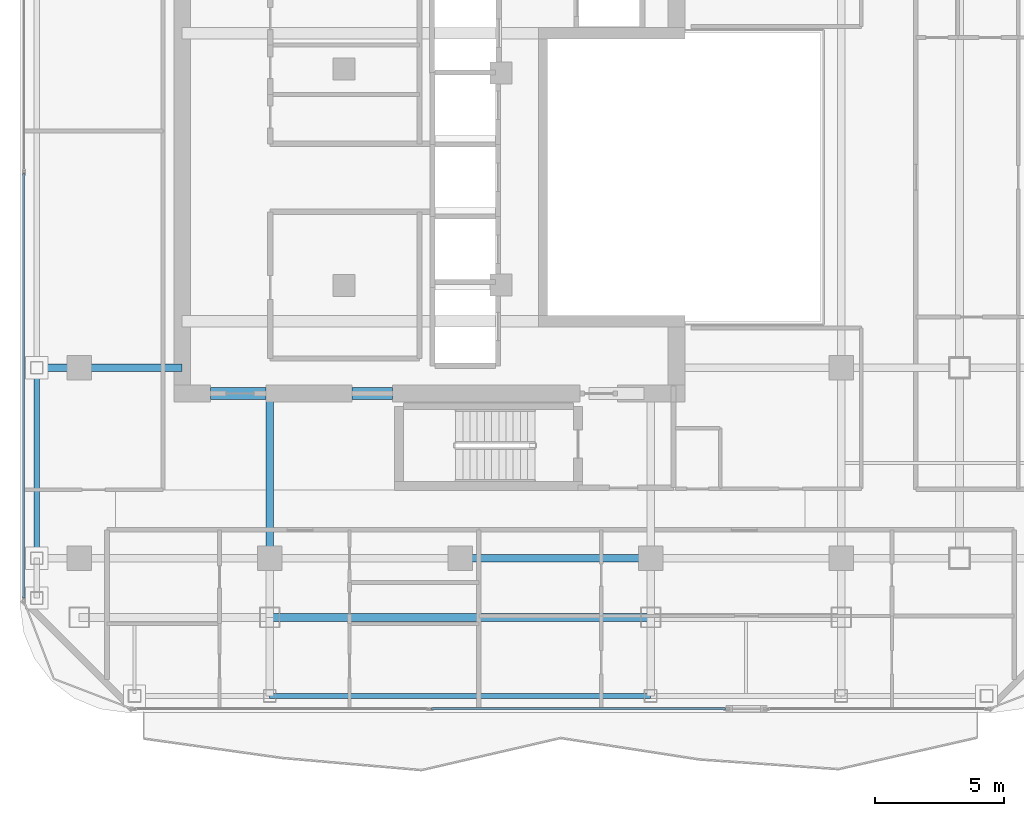
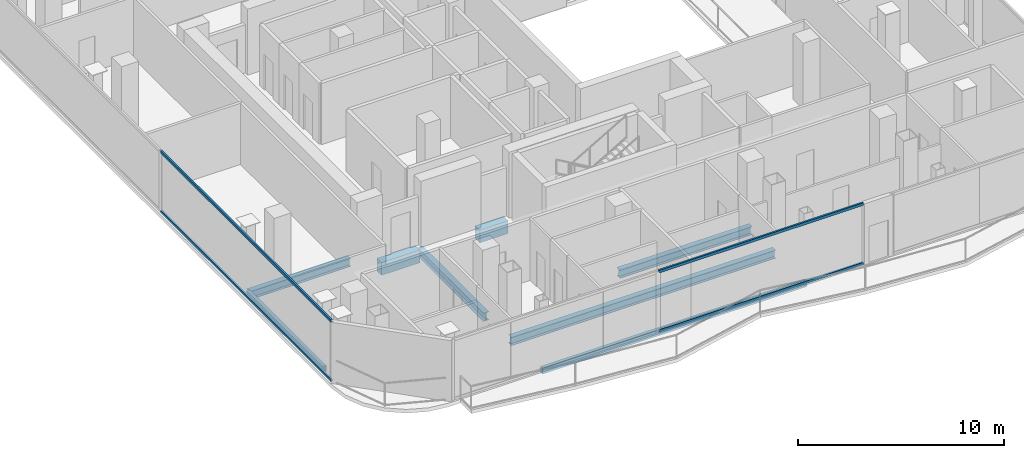
# One storey, part 3 of 22: 8 beams, 4 members, 2 elements without a shape of their own.
"""IFC4 building model written with IfcOpenShell, lengths in metres."""

from ifc_helpers import new_model, si_unit, direction, frame, origin, origin_2d, place, context, subcontext, project, spatial, rectangle, hollow_rectangle, i_section, extrude, material, layer, layer_set, material_profile, profile_set, type_object, element, aggregate, save


model = new_model("IFC4")

# Units and contexts
model_context = context("Model", 3, precision=1e-05, world=origin(), true_north=direction((0.0, 1.0)))
body_context = subcontext(model_context, "Body", "Model", "MODEL_VIEW")
ifc_project = project(units=[si_unit("LENGTHUNIT", "METRE"), si_unit("AREAUNIT", "SQUARE_METRE"), si_unit("VOLUMEUNIT", "CUBIC_METRE"), si_unit("PLANEANGLEUNIT", "RADIAN"), si_unit("MASSUNIT", "GRAM", prefix="KILO")], contexts=[model_context])

# Site, building, storey
site_placement = place(None, origin())
site = spatial("IfcSite", under=ifc_project, at=site_placement, CompositionType="ELEMENT")
building_placement = place(site_placement, origin())
building = spatial("IfcBuilding", under=site, at=building_placement, Name="Khorvyn Point Tower", CompositionType="ELEMENT")
storey_placement = place(building_placement, frame((0.0, 0.0, 282.0)))
storey = spatial("IfcBuildingStorey", under=building, at=storey_placement, Name="L69", CompositionType="ELEMENT", Elevation=282.0)

# Curtain wall, members
ifc_material_1 = material(Name="Anodised aluminium 6063-T6 and laminated Low-E glass", Category="aluminium")
ifc_layer = layer(ifc_material_1, 0.18994140625)
ifc_layer_set = layer_set([ifc_layer], Name="Stick-Built High-Wind Curtain Wall CW-SYS-04")
curtain_wall_type = type_object("IfcCurtainWallType", Name="Stick-Built High-Wind Curtain Wall CW-SYS-04", PredefinedType="NOTDEFINED", material=ifc_layer_set)
curtain_wall_1_placement = place(storey_placement, origin())
curtain_wall_1 = element("IfcCurtainWall", 1, at=curtain_wall_1_placement, inside=storey, type_object=curtain_wall_type, Name="Curtain Wall", PredefinedType="NOTDEFINED")
ifc_material_2 = material(Name="Anodised aluminium 6063-T6", Category="aluminium")
ifc_material_profile_1 = material_profile(ifc_material_2, hollow_rectangle(XDim=0.10009765625, YDim=0.159912109375, WallThickness=0.00439453125, at=origin_2d()))
ifc_profile_set_1 = profile_set([ifc_material_profile_1], Name="Anodised aluminium 6063-T6 ALU-TRN-100x160")
member_type = type_object("IfcMemberType", Name="Anodised Aluminium 6063-T6 Transom ALU-TRN-100x160", PredefinedType="USERDEFINED", material=ifc_profile_set_1)
member_1_placement = place(storey_placement, frame((10.303955078125, -20.64990234375, 0.050048828125), z_axis=(-1.0, 0.0, 0.0), x_axis=(0.0, -1.0, 0.0)))
member_1 = element("IfcMember", 2, at=member_1_placement, type_object=member_type, Name="Transom", ObjectType="TRANSOM", PredefinedType="USERDEFINED", context=body_context, shape_type="SweptSolid", body=[
    extrude(hollow_rectangle(XDim=0.10009765625, YDim=0.159912109375, WallThickness=0.00439453125, at=origin_2d()), origin(), (0.0, 0.0, 1.0), 11.427001953125),
])
member_2_placement = place(storey_placement, frame((10.303955078125, -20.64990234375, 3.570068359375), z_axis=(-1.0, 0.0, 0.0), x_axis=(0.0, -1.0, 0.0)))
member_2 = element("IfcMember", 3, at=member_2_placement, type_object=member_type, Name="Transom", ObjectType="TRANSOM", PredefinedType="USERDEFINED", context=body_context, shape_type="SweptSolid", body=[
    extrude(hollow_rectangle(XDim=0.10009765625, YDim=0.159912109375, WallThickness=0.00439453125, at=origin_2d()), origin(), (0.0, 0.0, 1.0), 11.427001953125),
])
aggregate(curtain_wall_1, [member_1, member_2])

curtain_wall_2_placement = place(storey_placement, origin())
curtain_wall_2 = element("IfcCurtainWall", 4, at=curtain_wall_2_placement, inside=storey, type_object=curtain_wall_type, Name="Curtain Wall", PredefinedType="NOTDEFINED")
member_3_placement = place(storey_placement, frame((-16.949951171875, -16.35009765625, 0.050048828125), z_axis=(0.0, 1.0, 0.0), x_axis=(-1.0, 0.0, 0.0)))
member_3 = element("IfcMember", 5, at=member_3_placement, type_object=member_type, Name="Transom", ObjectType="TRANSOM", PredefinedType="USERDEFINED", context=body_context, shape_type="SweptSolid", body=[
    extrude(hollow_rectangle(XDim=0.10009765625, YDim=0.159912109375, WallThickness=0.00439453125, at=origin_2d()), origin(), (0.0, 0.0, 1.0), 16.5),
])
member_4_placement = place(storey_placement, frame((-16.949951171875, -16.35009765625, 3.570068359375), z_axis=(0.0, 1.0, 0.0), x_axis=(-1.0, 0.0, 0.0)))
member_4 = element("IfcMember", 6, at=member_4_placement, type_object=member_type, Name="Transom", ObjectType="TRANSOM", PredefinedType="USERDEFINED", context=body_context, shape_type="SweptSolid", body=[
    extrude(hollow_rectangle(XDim=0.10009765625, YDim=0.159912109375, WallThickness=0.00439453125, at=origin_2d()), origin(), (0.0, 0.0, 1.0), 16.5),
])
aggregate(curtain_wall_2, [member_3, member_4])

# Beams
ifc_material_3 = material(Name="Concrete C40/50", Category="concrete")
ifc_material_profile_2 = material_profile(ifc_material_3, rectangle(XDim=0.449951171875, YDim=0.75, at=origin_2d()))
ifc_profile_set_2 = profile_set([ifc_material_profile_2], Name="Concrete C40/50 RC450x750")
beam_type_1 = type_object("IfcBeamType", Name="Concrete C40/50 Beam RC450x750", PredefinedType="BEAM", material=ifc_profile_set_2)
beam_1_placement = place(storey_placement, frame((-9.699951171875, -8.39990234375, -0.594970703125), z_axis=(1.0, 0.0, 0.0), x_axis=(0.0, 1.0, 0.0)))
element("IfcBeam", 7, at=beam_1_placement, inside=storey, type_object=beam_type_1, Name="L69 Core Southwest Portal Coupling Beam", PredefinedType="BEAM", context=body_context, shape_type="SweptSolid", body=[
    extrude(rectangle(XDim=0.449951171875, YDim=0.75, at=origin_2d()), origin(), (0.0, 0.0, 1.0), 2.14990234375),
])
beam_2_placement = place(storey_placement, frame((-4.199951171875, -8.39990234375, -0.594970703125), z_axis=(1.0, 0.0, 0.0), x_axis=(0.0, 1.0, 0.0)))
element("IfcBeam", 8, at=beam_2_placement, inside=storey, type_object=beam_type_1, Name="L69 Core Shuttle Portal Coupling Beam", PredefinedType="BEAM", context=body_context, shape_type="SweptSolid", body=[
    extrude(rectangle(XDim=0.449951171875, YDim=0.75, at=origin_2d()), origin(), (0.0, 0.0, 1.0), 1.579833984375),
])
ifc_material_4 = material(Name="Steel S355", Category="steel")
ifc_material_profile_3 = material_profile(ifc_material_4, i_section(OverallWidth=0.300048828125, OverallDepth=0.488037109375, WebThickness=0.010986328125, FlangeThickness=0.01806640625, at=origin_2d()))
ifc_profile_set_3 = profile_set([ifc_material_profile_3], Name="Steel S355 H488x300x11x18")
beam_type_2 = type_object("IfcBeamType", Name="Steel S355 Spandrel H488x300x11x18", PredefinedType="SPANDREL", material=ifc_profile_set_3)
beam_3_placement = place(storey_placement, frame((0.0, -14.800048828125, -0.464111328125), z_axis=(1.0, 0.0, 0.0), x_axis=(0.0, 1.0, 0.0)))
element("IfcBeam", 9, at=beam_3_placement, inside=storey, type_object=beam_type_2, Name="Beam", PredefinedType="SPANDREL", context=body_context, shape_type="SweptSolid", body=[
    extrude(i_section(OverallWidth=0.300048828125, OverallDepth=0.488037109375, WebThickness=0.010986328125, FlangeThickness=0.01806640625, at=origin_2d()), origin(), (0.0, 0.0, 1.0), 7.39990234375),
])
beam_4_placement = place(storey_placement, frame((-16.449951171875, -7.39990234375, -0.464111328125), z_axis=(1.0, 0.0, 0.0), x_axis=(0.0, 1.0, 0.0)))
element("IfcBeam", 10, at=beam_4_placement, inside=storey, type_object=beam_type_2, Name="Beam", PredefinedType="SPANDREL", context=body_context, shape_type="SweptSolid", body=[
    extrude(i_section(OverallWidth=0.300048828125, OverallDepth=0.488037109375, WebThickness=0.010986328125, FlangeThickness=0.01806640625, at=origin_2d()), origin(), (0.0, 0.0, 1.0), 5.64990234375),
])
beam_5_placement = place(storey_placement, frame((-7.39990234375, -17.10009765625, -0.464111328125), z_axis=(1.0, 0.0, 0.0), x_axis=(0.0, 1.0, 0.0)))
element("IfcBeam", 11, at=beam_5_placement, inside=storey, type_object=beam_type_2, Name="Beam", PredefinedType="SPANDREL", context=body_context, shape_type="SweptSolid", body=[
    extrude(i_section(OverallWidth=0.300048828125, OverallDepth=0.488037109375, WebThickness=0.010986328125, FlangeThickness=0.01806640625, at=origin_2d()), origin(), (0.0, 0.0, 1.0), 14.7998046875),
])
beam_6_placement = place(storey_placement, frame((-7.39990234375, -14.800048828125, -0.464111328125), z_axis=(0.0, 1.0, 0.0), x_axis=(-1.0, 0.0, 0.0)))
element("IfcBeam", 12, at=beam_6_placement, inside=storey, type_object=beam_type_2, Name="Beam", PredefinedType="SPANDREL", context=body_context, shape_type="SweptSolid", body=[
    extrude(i_section(OverallWidth=0.300048828125, OverallDepth=0.488037109375, WebThickness=0.010986328125, FlangeThickness=0.01806640625, at=origin_2d()), origin(), (0.0, 0.0, 1.0), 6.400146484375),
])
ifc_material_profile_4 = material_profile(ifc_material_4, hollow_rectangle(XDim=0.199951171875, YDim=0.35009765625, WallThickness=0.013916015625, at=origin_2d()))
ifc_profile_set_4 = profile_set([ifc_material_profile_4], Name="Steel S355 RHS350x200x14")
beam_type_3 = type_object("IfcBeamType", Name="Steel S355 Spandrel RHS350x200x14", PredefinedType="SPANDREL", material=ifc_profile_set_4)
beam_7_placement = place(storey_placement, frame((-7.39990234375, -20.14990234375, -0.39501953125), z_axis=(1.0, 0.0, 0.0), x_axis=(0.0, 1.0, 0.0)))
element("IfcBeam", 13, at=beam_7_placement, inside=storey, type_object=beam_type_3, Name="Beam", PredefinedType="SPANDREL", context=body_context, shape_type="SweptSolid", body=[
    extrude(hollow_rectangle(XDim=0.199951171875, YDim=0.35009765625, WallThickness=0.013916015625, at=origin_2d()), origin(), (0.0, 0.0, 1.0), 14.7998046875),
])
beam_8_placement = place(storey_placement, frame((-16.449951171875, -14.800048828125, -0.39501953125), z_axis=(0.0, 1.0, 0.0), x_axis=(-1.0, 0.0, 0.0)))
element("IfcBeam", 14, at=beam_8_placement, inside=storey, type_object=beam_type_3, Name="Beam", PredefinedType="SPANDREL", context=body_context, shape_type="SweptSolid", body=[
    extrude(hollow_rectangle(XDim=0.199951171875, YDim=0.35009765625, WallThickness=0.013916015625, at=origin_2d()), origin(), (0.0, 0.0, 1.0), 7.400146484375),
])

save(model, "model.ifc")
